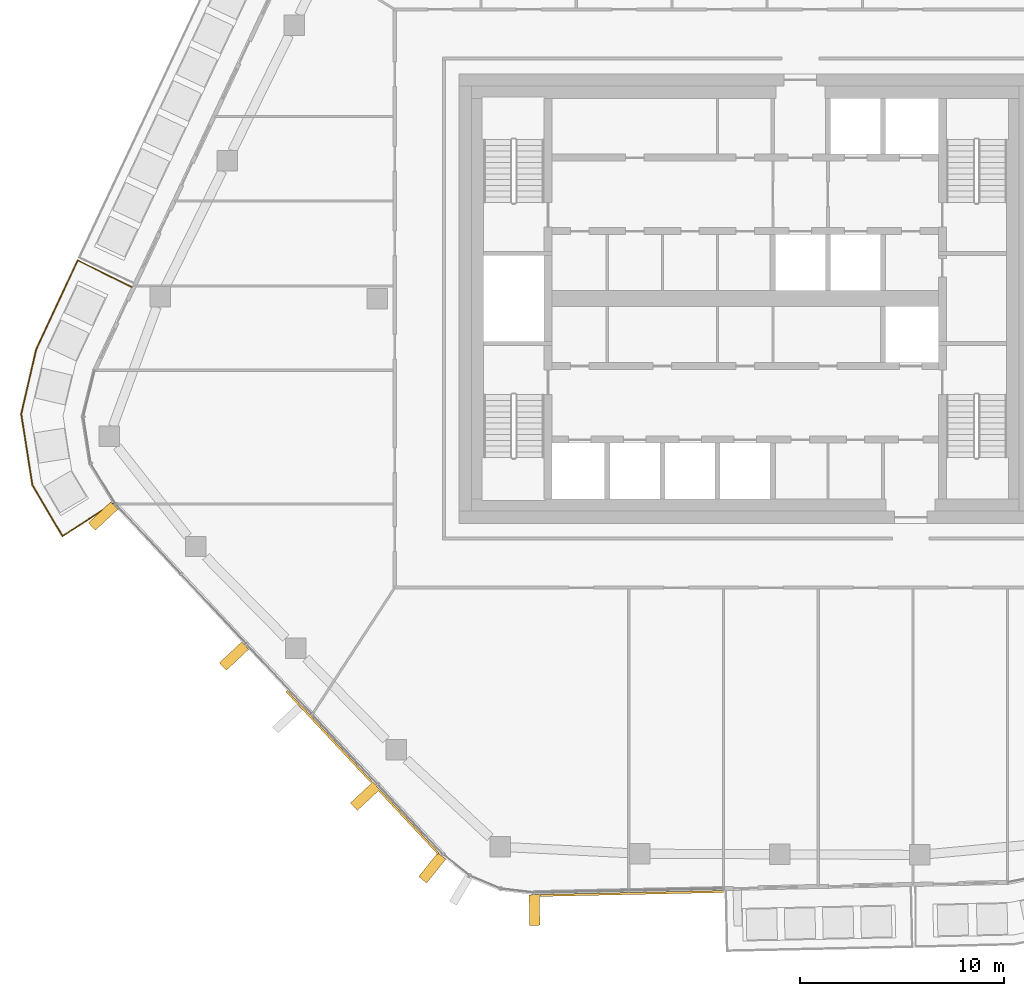
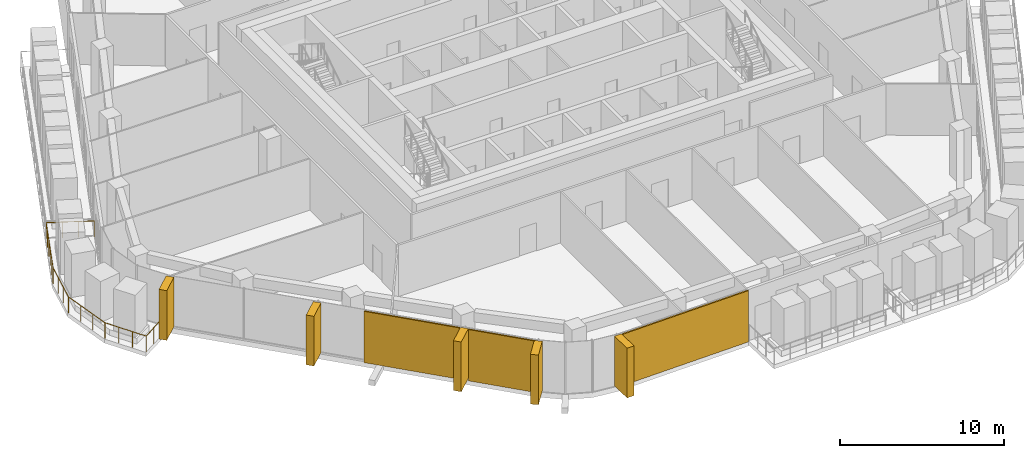
# One storey, part 18 of 23: 8 coverings, 1 railing, 3 elements without a shape of their own.
"""IFC4 building model written with IfcOpenShell, lengths in metres."""

from ifc_helpers import new_model, si_unit, direction, frame, origin, origin_2d, place, context, subcontext, project, spatial, rectangle, circle, extrude, material, layer, layer_set, material_profile, profile_set, type_object, element, aggregate, save


model = new_model("IFC4")

# Units and contexts
model_context = context("Model", 3, precision=1e-05, world=origin(), true_north=direction((0.0, 1.0)))
body_context = subcontext(model_context, "Body", "Model", "MODEL_VIEW")
ifc_project = project(units=[si_unit("LENGTHUNIT", "METRE"), si_unit("AREAUNIT", "SQUARE_METRE"), si_unit("VOLUMEUNIT", "CUBIC_METRE"), si_unit("PLANEANGLEUNIT", "RADIAN"), si_unit("MASSUNIT", "GRAM", prefix="KILO")], contexts=[model_context])

# Site, building, storey
site_placement = place(None, origin())
site = spatial("IfcSite", under=ifc_project, at=site_placement, CompositionType="ELEMENT")
building_placement = place(site_placement, origin())
building = spatial("IfcBuilding", under=site, at=building_placement, Name="Dongbaek Canopy Tower", CompositionType="ELEMENT")
storey_placement = place(building_placement, frame((0.0, 0.0, 336.199951171875)))
storey = spatial("IfcBuildingStorey", under=building, at=storey_placement, Name="L72", CompositionType="ELEMENT", Elevation=336.199951171875)

# Railing
ifc_material_1 = material(Name="Stainless steel", Category="steel")
railing_type = type_object("IfcRailingType", Name="Balcony balustrade 1200", PredefinedType="BALUSTRADE", material=ifc_material_1)
railing_placement = place(storey_placement, frame((-30.02685546875, 0.56884765625, 0.0)))
element("IfcRailing", 1, at=railing_placement, inside=storey, type_object=railing_type, Name="Balcony guard L72 7", PredefinedType="BALUSTRADE", context=body_context, shape_type="SweptSolid", body=[
    extrude(circle(Radius=0.02392578125, at=origin_2d()), frame((0.0, 0.0, 1.17578125), z_axis=(-0.896098023719, 0.443856206319, 0.0), x_axis=(-0.443856206319, -0.896098023719, 0.0)), (0.0, 0.0, 1.0), 2.9404296875),
    extrude(circle(Radius=0.02392578125, at=origin_2d()), frame((-2.635009765625, 1.30517578125, 1.17578125), z_axis=(-0.422749552382, -0.906246553627, 0.0), x_axis=(0.906246553627, -0.422749552382, 0.0)), (0.0, 0.0, 1.0), 4.818603515625),
    extrude(circle(Radius=0.02392578125, at=origin_2d()), frame((-4.672119140625, -3.061767578125, 1.17578125), z_axis=(-0.225701783137, -0.974196440708, 0.0), x_axis=(0.974196440708, -0.225701783137, 0.0)), (0.0, 0.0, 1.0), 3.238525390625),
    extrude(circle(Radius=0.02392578125, at=origin_2d()), frame((-5.403076171875, -6.216796875, 1.17578125), z_axis=(0.155536017693, -0.98783022185, 0.0), x_axis=(0.98783022185, 0.155536017693, 0.0)), (0.0, 0.0, 1.0), 3.527099609375),
    extrude(circle(Radius=0.02392578125, at=origin_2d()), frame((-4.8544921875, -9.700927734375, 1.17578125), z_axis=(0.50841134309, -0.861114339805, 0.0), x_axis=(0.861114339805, 0.50841134309, 0.0)), (0.0, 0.0, 1.0), 2.8974609375),
    extrude(circle(Radius=0.02392578125, at=origin_2d()), frame((-3.38134765625, -12.196044921875, 1.17578125), z_axis=(0.839921908377, 0.542707276373, 0.0), x_axis=(-0.542707276373, 0.839921908377, 0.0)), (0.0, 0.0, 1.0), 2.940673828125),
    extrude(circle(Radius=0.02099609375, at=origin_2d()), origin(), (0.0, 0.0, 1.0), 1.15185546875),
    extrude(circle(Radius=0.02099609375, at=origin_2d()), frame((-0.87841796875, 0.43505859375, 0.0)), (0.0, 0.0, 1.0), 1.15185546875),
    extrude(circle(Radius=0.02099609375, at=origin_2d()), frame((-1.756591796875, 0.8701171875, 0.0)), (0.0, 0.0, 1.0), 1.15185546875),
    extrude(circle(Radius=0.02099609375, at=origin_2d()), frame((-2.635009765625, 1.30517578125, 0.0)), (0.0, 0.0, 1.0), 1.15185546875),
    extrude(circle(Radius=0.02099609375, at=origin_2d()), frame((-3.04248046875, 0.431884765625, 0.0)), (0.0, 0.0, 1.0), 1.15185546875),
    extrude(circle(Radius=0.02099609375, at=origin_2d()), frame((-3.449951171875, -0.441650390625, 0.0)), (0.0, 0.0, 1.0), 1.15185546875),
    extrude(circle(Radius=0.02099609375, at=origin_2d()), frame((-3.857177734375, -1.31494140625, 0.0)), (0.0, 0.0, 1.0), 1.15185546875),
    extrude(circle(Radius=0.02099609375, at=origin_2d()), frame((-4.2646484375, -2.1884765625, 0.0)), (0.0, 0.0, 1.0), 1.15185546875),
    extrude(circle(Radius=0.02099609375, at=origin_2d()), frame((-4.672119140625, -3.061767578125, 0.0)), (0.0, 0.0, 1.0), 1.15185546875),
    extrude(circle(Radius=0.02099609375, at=origin_2d()), frame((-4.915771484375, -4.113525390625, 0.0)), (0.0, 0.0, 1.0), 1.15185546875),
    extrude(circle(Radius=0.02099609375, at=origin_2d()), frame((-5.159423828125, -5.1650390625, 0.0)), (0.0, 0.0, 1.0), 1.15185546875),
    extrude(circle(Radius=0.02099609375, at=origin_2d()), frame((-5.403076171875, -6.216796875, 0.0)), (0.0, 0.0, 1.0), 1.15185546875),
    extrude(circle(Radius=0.02099609375, at=origin_2d()), frame((-5.22021484375, -7.378173828125, 0.0)), (0.0, 0.0, 1.0), 1.15185546875),
    extrude(circle(Radius=0.02099609375, at=origin_2d()), frame((-5.037353515625, -8.53955078125, 0.0)), (0.0, 0.0, 1.0), 1.15185546875),
    extrude(circle(Radius=0.02099609375, at=origin_2d()), frame((-4.8544921875, -9.700927734375, 0.0)), (0.0, 0.0, 1.0), 1.15185546875),
    extrude(circle(Radius=0.02099609375, at=origin_2d()), frame((-4.363525390625, -10.53271484375, 0.0)), (0.0, 0.0, 1.0), 1.15185546875),
    extrude(circle(Radius=0.02099609375, at=origin_2d()), frame((-3.872314453125, -11.3642578125, 0.0)), (0.0, 0.0, 1.0), 1.15185546875),
    extrude(circle(Radius=0.02099609375, at=origin_2d()), frame((-3.38134765625, -12.196044921875, 0.0)), (0.0, 0.0, 1.0), 1.15185546875),
    extrude(circle(Radius=0.02099609375, at=origin_2d()), frame((-2.55810546875, -11.6640625, 0.0)), (0.0, 0.0, 1.0), 1.15185546875),
    extrude(circle(Radius=0.02099609375, at=origin_2d()), frame((-1.734619140625, -11.132080078125, 0.0)), (0.0, 0.0, 1.0), 1.15185546875),
    extrude(circle(Radius=0.02099609375, at=origin_2d()), frame((-0.911376953125, -10.60009765625, 0.0)), (0.0, 0.0, 1.0), 1.15185546875),
])

# Curtain wall, coverings
ifc_material_2 = material(Name="Aluminium 6063-T6 pale anodised", Category="aluminium")
ifc_layer_1 = layer(ifc_material_2, 0.199951171875)
ifc_layer_set_1 = layer_set([ifc_layer_1], Name="CW-1 unitised tower curtain wall")
curtain_wall_type = type_object("IfcCurtainWallType", Name="CW-1 unitised tower curtain wall", PredefinedType="NOTDEFINED", material=ifc_layer_set_1)
curtain_wall_1_placement = place(storey_placement, origin())
curtain_wall_1 = element("IfcCurtainWall", 2, at=curtain_wall_1_placement, inside=storey, type_object=curtain_wall_type, Name="CW-1 curtain wall F3.1", PredefinedType="NOTDEFINED")
ifc_material_3 = material(Name="Perforated aluminium 6063-T6 pale metal screen", Category="aluminium")
ifc_layer_2 = layer(ifc_material_3, 0.10009765625)
ifc_layer_set_2 = layer_set([ifc_layer_2], Name="Facet screen FS1 100 pale metal")
covering_type_1 = type_object("IfcCoveringType", Name="Facet screen FS1 100 pale metal", PredefinedType="CLADDING", material=ifc_layer_set_2)
covering_1_placement = place(storey_placement, frame((-20.36376953125, -21.439697265625, 0.0), z_axis=(0.0, 0.0, 1.0), x_axis=(0.682978063004, -0.730438885503, 0.0)))
covering_1 = element("IfcCovering", 3, at=covering_1_placement, type_object=covering_type_1, Name="Facet screen L72 F3", PredefinedType="CLADDING", context=body_context, shape_type="SweptSolid", body=[
    extrude(rectangle(XDim=6.087646484375, YDim=0.10009765625, at=origin_2d()), origin(), (0.0, 0.0, 1.0), 3.820068359375),
])
covering_2_placement = place(storey_placement, frame((-16.4453125, -25.63037109375, 0.0), z_axis=(0.0, 0.0, 1.0), x_axis=(0.682978063004, -0.730438885503, 0.0)))
covering_2 = element("IfcCovering", 4, at=covering_2_placement, type_object=covering_type_1, Name="Facet screen L72 F3", PredefinedType="CLADDING", context=body_context, shape_type="SweptSolid", body=[
    extrude(rectangle(XDim=4.22705078125, YDim=0.10009765625, at=origin_2d()), origin(), (0.0, 0.0, 1.0), 3.820068359375),
])

# Curtain wall, covering
curtain_wall_2_placement = place(storey_placement, origin())
curtain_wall_2 = element("IfcCurtainWall", 5, at=curtain_wall_2_placement, inside=storey, type_object=curtain_wall_type, Name="CW-1 curtain wall F4.1", PredefinedType="NOTDEFINED")
covering_3_placement = place(storey_placement, frame((-5.546875, -29.115966796875, 0.0), z_axis=(0.0, 0.0, 1.0), x_axis=(0.999765063267, 0.021675291709, 0.0)))
covering_3 = element("IfcCovering", 6, at=covering_3_placement, type_object=covering_type_1, Name="Facet screen L72 F4", PredefinedType="CLADDING", context=body_context, shape_type="SweptSolid", body=[
    extrude(rectangle(XDim=8.97998046875, YDim=0.10009765625, at=origin_2d()), origin(), (0.0, 0.0, 1.0), 3.820068359375),
])

# Covering
ifc_material_4 = material(Name="Aluminium 6063-T6 pale metal fin", Category="aluminium")
ifc_material_profile = material_profile(ifc_material_4, rectangle(XDim=1.5, YDim=0.5, at=origin_2d()), Name="Fin FN1 500 x 1500 pale metal")
ifc_profile_set = profile_set([ifc_material_profile], Name="Aluminium 6063-T6 pale metal fin")
covering_type_2 = type_object("IfcCoveringType", Name="Fin FN1 500 x 1500 pale metal", PredefinedType="CLADDING", material=ifc_profile_set)
covering_4_placement = place(storey_placement, frame((-31.421630859375, -10.644287109375, 0.1201171875), z_axis=(0.0, 0.0, 1.0), x_axis=(-0.730438386022, -0.682978597195, 0.0)))
covering_4 = element("IfcCovering", 7, at=covering_4_placement, type_object=covering_type_2, Name="Fin F3.1.1", PredefinedType="CLADDING", context=body_context, shape_type="SweptSolid", body=[
    extrude(rectangle(XDim=1.5, YDim=0.5, at=origin_2d()), origin(), (0.0, 0.0, 1.0), 3.699951171875),
])

covering_5_placement = place(storey_placement, frame((-25.0146484375, -17.496337890625, 0.1201171875), z_axis=(0.0, 0.0, 1.0), x_axis=(-0.730438386022, -0.682978597195, 0.0)))
covering_5 = element("IfcCovering", 8, at=covering_5_placement, type_object=covering_type_2, Name="Fin F3.1.3", PredefinedType="CLADDING", context=body_context, shape_type="SweptSolid", body=[
    extrude(rectangle(XDim=1.5, YDim=0.5, at=origin_2d()), origin(), (0.0, 0.0, 1.0), 3.699951171875),
])

covering_6_placement = place(storey_placement, frame((-18.60107421875, -24.355712890625, 0.1201171875), z_axis=(0.0, 0.0, 1.0), x_axis=(-0.730438386022, -0.682978597195, 0.0)))
covering_6 = element("IfcCovering", 9, at=covering_6_placement, type_object=covering_type_2, Name="Fin F3.1.5", PredefinedType="CLADDING", context=body_context, shape_type="SweptSolid", body=[
    extrude(rectangle(XDim=1.5, YDim=0.5, at=origin_2d()), origin(), (0.0, 0.0, 1.0), 3.699951171875),
])

aggregate(curtain_wall_1, [covering_4, covering_5, covering_6, covering_1, covering_2])

# Curtain wall, covering
curtain_wall_3_placement = place(storey_placement, origin())
curtain_wall_3 = element("IfcCurtainWall", 10, at=curtain_wall_3_placement, inside=storey, type_object=curtain_wall_type, Name="CW-1 curtain wall K4.1", PredefinedType="NOTDEFINED")
covering_7_placement = place(storey_placement, frame((-15.31201171875, -27.861083984375, 0.1201171875), z_axis=(0.0, 0.0, 1.0), x_axis=(-0.62790365063, -0.778291080204, 0.0)))
covering_7 = element("IfcCovering", 11, at=covering_7_placement, type_object=covering_type_2, Name="Fin K4.1.1", PredefinedType="CLADDING", context=body_context, shape_type="SweptSolid", body=[
    extrude(rectangle(XDim=1.5, YDim=0.5, at=origin_2d()), origin(), (0.0, 0.0, 1.0), 3.699951171875),
])
aggregate(curtain_wall_3, [covering_7])

# Covering
covering_8_placement = place(storey_placement, frame((-10.310546875, -29.92333984375, 0.1201171875), z_axis=(0.0, 0.0, 1.0), x_axis=(0.021675843976, -0.999765051294, 0.0)))
covering_8 = element("IfcCovering", 12, at=covering_8_placement, type_object=covering_type_2, Name="Fin F4.1.1", PredefinedType="CLADDING", context=body_context, shape_type="SweptSolid", body=[
    extrude(rectangle(XDim=1.5, YDim=0.5, at=origin_2d()), origin(), (0.0, 0.0, 1.0), 3.699951171875),
])

aggregate(curtain_wall_2, [covering_8, covering_3])

save(model, "model.ifc")
